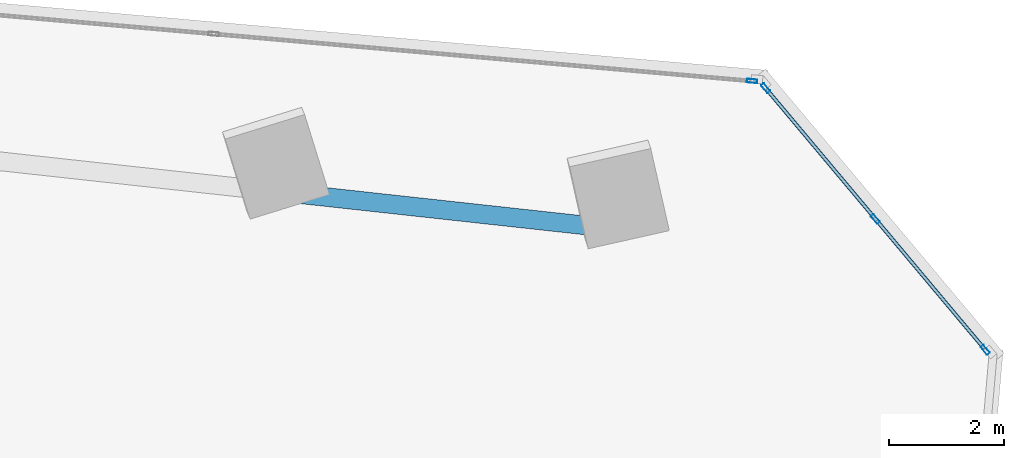
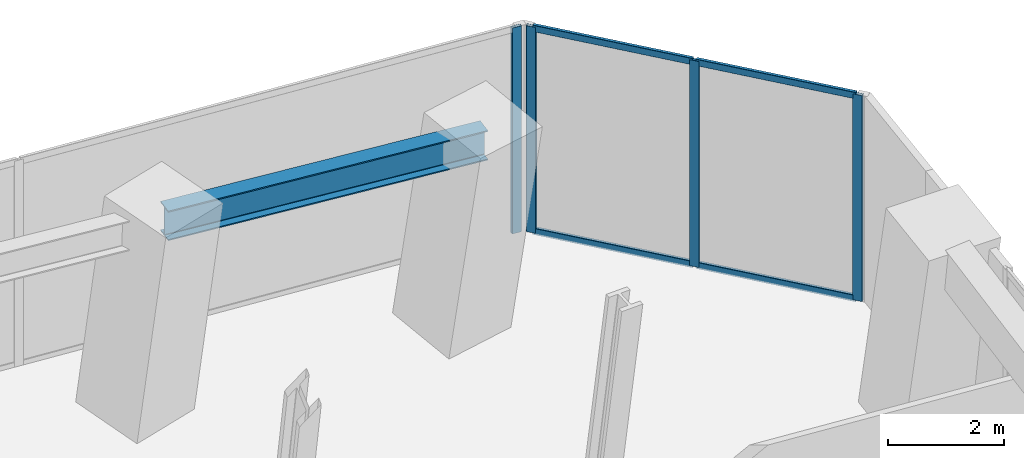
# One storey, part 13 of 24: 8 members, 1 beam, 2 elements without a shape of their own.
"""IFC4 building model written with IfcOpenShell, lengths in metres."""

from ifc_helpers import new_model, si_unit, direction, frame, origin, origin_2d, place, context, subcontext, project, spatial, hollow_rectangle, i_section, extrude, source, transform, mapped, material, material_profile, profile_set, type_object, element, aggregate, save


model = new_model("IFC4")

# Units and contexts
model_context = context("Model", 3, precision=1e-05, world=origin(), true_north=direction((0.0, 1.0)))
body_context = subcontext(model_context, "Body", "Model", "MODEL_VIEW")
ifc_project = project(units=[si_unit("LENGTHUNIT", "METRE"), si_unit("AREAUNIT", "SQUARE_METRE"), si_unit("VOLUMEUNIT", "CUBIC_METRE"), si_unit("PLANEANGLEUNIT", "RADIAN"), si_unit("MASSUNIT", "GRAM", prefix="KILO")], contexts=[model_context])

# Site, building, storey
site_placement = place(None, origin())
site = spatial("IfcSite", under=ifc_project, at=site_placement, CompositionType="ELEMENT")
building_placement = place(site_placement, origin())
building = spatial("IfcBuilding", under=site, at=building_placement, Name="Torre Montelarca", CompositionType="ELEMENT")
storey_placement = place(building_placement, frame((0.0, 0.0, 52.0)))
storey = spatial("IfcBuildingStorey", under=building, at=storey_placement, Name="L11", CompositionType="ELEMENT", Elevation=52.0)

# Beam
ifc_material_1 = material(Name="Steel ASTM A992 Grade 50", Category="steel")
ifc_material_profile_1 = material_profile(ifc_material_1, i_section(OverallWidth=0.326904296875, OverallDepth=0.6220703125, WebThickness=0.015380859375, FlangeThickness=0.0244140625, FilletRadius=0.014892578125, at=origin_2d()), Name="W610X195", Category="steel")
ifc_profile_set_1 = profile_set([ifc_material_profile_1], Name="Steel ASTM A992 Grade 50")
beam_type = type_object("IfcBeamType", Name="BM-G-W610H", PredefinedType="BEAM", material=ifc_profile_set_1)
shared_shape_1 = source(origin(), body_context, "Body", "SweptSolid", [
    extrude(i_section(OverallWidth=0.326904296875, OverallDepth=0.6220703125, WebThickness=0.015380859375, FlangeThickness=0.0244140625, FilletRadius=0.014892578125, at=origin_2d()), origin(), (0.0, 0.0, 1.0), 6.0),
])
beam_placement = place(storey_placement, frame((49.36669921875, 43.03173828125, 4.2490234375), z_axis=(0.994058628422, -0.108845961155, 0.0), x_axis=(0.108845961155, 0.994058628422, 0.0)))
element("IfcBeam", 1, at=beam_placement, inside=storey, type_object=beam_type, Name="L11 Grid Girder X 48.0-54.0 at Y=46.0", PredefinedType="BEAM", context=body_context, shape_type="MappedRepresentation", body=[
    mapped(shared_shape_1, transform((0.0, 0.0, 0.0), scale=1.0)),
])

# Curtain wall, members
ifc_material_2 = material(Name="Insulated low-E laminated glass", Category="glass")
curtain_wall_type = type_object("IfcCurtainWallType", Name="CW-SYS-Z1", PredefinedType="USERDEFINED", material=ifc_material_2)
curtain_wall_1_placement = place(storey_placement, origin())
curtain_wall_1 = element("IfcCurtainWall", 2, at=curtain_wall_1_placement, inside=storey, type_object=curtain_wall_type, Name="L11 Curtain Wall Run CW-T3-L11-E07-B1", ObjectType="UNITISED GLAZING", PredefinedType="USERDEFINED")
ifc_material_3 = material(Name="Anodised aluminium AA 6063-T6", Category="aluminium")
ifc_material_profile_2 = material_profile(ifc_material_3, hollow_rectangle(XDim=0.06494140625, YDim=0.179931640625, WallThickness=0.00390625, InnerFilletRadius=0.00390625, OuterFilletRadius=0.008056640625, at=origin_2d()), Name="ALU65X180X4", Category="aluminium")
ifc_profile_set_2 = profile_set([ifc_material_profile_2], Name="Anodised aluminium AA 6063-T6")
member_type_1 = type_object("IfcMemberType", Name="CWM-ALU180", PredefinedType="MULLION", material=ifc_profile_set_2)
shared_shape_2 = source(origin(), body_context, "Body", "SweptSolid", [
    extrude(hollow_rectangle(XDim=0.06494140625, YDim=0.179931640625, WallThickness=0.00390625, InnerFilletRadius=0.00390625, OuterFilletRadius=0.008056640625, at=origin_2d()), origin(), (0.0, 0.0, 1.0), 4.320068359375),
])
member_1_placement = place(storey_placement, frame((61.542724609375, 40.289794921875, 0.0), z_axis=(0.0, 0.0, 1.0), x_axis=(-0.766042761233, -0.642789614074, 0.0)))
member_1 = element("IfcMember", 3, at=member_1_placement, type_object=member_type_1, Name="CW mullion 1", PredefinedType="MULLION", context=body_context, shape_type="MappedRepresentation", body=[
    mapped(shared_shape_2, transform((0.0, 0.0, 0.0), scale=1.0)),
])
member_2_placement = place(storey_placement, frame((59.624755859375, 42.575439453125, 0.0), z_axis=(0.0, 0.0, 1.0), x_axis=(-0.766042761233, -0.642789614074, 0.0)))
member_2 = element("IfcMember", 4, at=member_2_placement, type_object=member_type_1, Name="CW mullion 2", PredefinedType="MULLION", context=body_context, shape_type="MappedRepresentation", body=[
    mapped(shared_shape_2, transform((0.0, 0.0, 0.0), scale=1.0)),
])
member_3_placement = place(storey_placement, frame((57.70703125, 44.861083984375, 0.0), z_axis=(0.0, 0.0, 1.0), x_axis=(-0.766042761233, -0.642789614074, 0.0)))
member_3 = element("IfcMember", 5, at=member_3_placement, type_object=member_type_1, Name="CW mullion 3", PredefinedType="MULLION", context=body_context, shape_type="MappedRepresentation", body=[
    mapped(shared_shape_2, transform((0.0, 0.0, 0.0), scale=1.0)),
])

# Curtain wall, member
curtain_wall_2_placement = place(storey_placement, origin())
curtain_wall_2 = element("IfcCurtainWall", 6, at=curtain_wall_2_placement, inside=storey, type_object=curtain_wall_type, Name="L11 Curtain Wall Run CW-T3-L11-E08-B1", ObjectType="UNITISED GLAZING", PredefinedType="USERDEFINED")
member_4_placement = place(storey_placement, frame((57.47021484375, 44.984375, 0.0), z_axis=(0.0, 0.0, 1.0), x_axis=(-0.087156798635, -0.996194605713, 0.0)))
member_4 = element("IfcMember", 7, at=member_4_placement, type_object=member_type_1, Name="CW mullion 1", PredefinedType="MULLION", context=body_context, shape_type="MappedRepresentation", body=[
    mapped(shared_shape_2, transform((0.0, 0.0, 0.0), scale=1.0)),
])
aggregate(curtain_wall_2, [member_4])

# Member
ifc_material_profile_3 = material_profile(ifc_material_3, hollow_rectangle(XDim=0.06494140625, YDim=0.139892578125, WallThickness=0.00390625, InnerFilletRadius=0.00390625, OuterFilletRadius=0.008056640625, at=origin_2d()), Name="ALU65X140X4", Category="aluminium")
ifc_profile_set_3 = profile_set([ifc_material_profile_3], Name="Anodised aluminium AA 6063-T6")
member_type_2 = type_object("IfcMemberType", Name="CWT-ALU140", PredefinedType="USERDEFINED", material=ifc_profile_set_3)
shared_shape_3 = source(origin(), body_context, "Body", "SweptSolid", [
    extrude(hollow_rectangle(XDim=0.06494140625, YDim=0.139892578125, WallThickness=0.00390625, InnerFilletRadius=0.00390625, OuterFilletRadius=0.008056640625, at=origin_2d()), origin(), (0.0, 0.0, 1.0), 2.918701171875),
])
member_5_placement = place(storey_placement, frame((61.521728515625, 40.314697265625, 0.032470703125), z_axis=(-0.642764321107, 0.766063983954, 0.0), x_axis=(-0.766063983954, -0.642764321107, 0.0)))
member_5 = element("IfcMember", 8, at=member_5_placement, type_object=member_type_2, Name="CW transom 1.1", ObjectType="TRANSOM", PredefinedType="USERDEFINED", context=body_context, shape_type="MappedRepresentation", body=[
    mapped(shared_shape_3, transform((0.0, 0.0, 0.0), scale=1.0)),
])

member_6_placement = place(storey_placement, frame((61.521728515625, 40.314697265625, 4.28759765625), z_axis=(-0.642764321107, 0.766063983954, 0.0), x_axis=(-0.766063983954, -0.642764321107, 0.0)))
member_6 = element("IfcMember", 9, at=member_6_placement, type_object=member_type_2, Name="CW transom 1.2", ObjectType="TRANSOM", PredefinedType="USERDEFINED", context=body_context, shape_type="MappedRepresentation", body=[
    mapped(shared_shape_3, transform((0.0, 0.0, 0.0), scale=1.0)),
])

member_7_placement = place(storey_placement, frame((59.60400390625, 42.600341796875, 0.032470703125), z_axis=(-0.642813407314, 0.766022795599, 0.0), x_axis=(-0.766022795599, -0.642813407314, 0.0)))
member_7 = element("IfcMember", 10, at=member_7_placement, type_object=member_type_2, Name="CW transom 2.1", ObjectType="TRANSOM", PredefinedType="USERDEFINED", context=body_context, shape_type="MappedRepresentation", body=[
    mapped(shared_shape_3, transform((0.0, 0.0, 0.0), scale=1.0)),
])

member_8_placement = place(storey_placement, frame((59.60400390625, 42.600341796875, 4.28759765625), z_axis=(-0.642813407314, 0.766022795599, 0.0), x_axis=(-0.766022795599, -0.642813407314, 0.0)))
member_8 = element("IfcMember", 11, at=member_8_placement, type_object=member_type_2, Name="CW transom 2.2", ObjectType="TRANSOM", PredefinedType="USERDEFINED", context=body_context, shape_type="MappedRepresentation", body=[
    mapped(shared_shape_3, transform((0.0, 0.0, 0.0), scale=1.0)),
])

aggregate(curtain_wall_1, [member_1, member_2, member_3, member_5, member_6, member_7, member_8])

save(model, "model.ifc")
